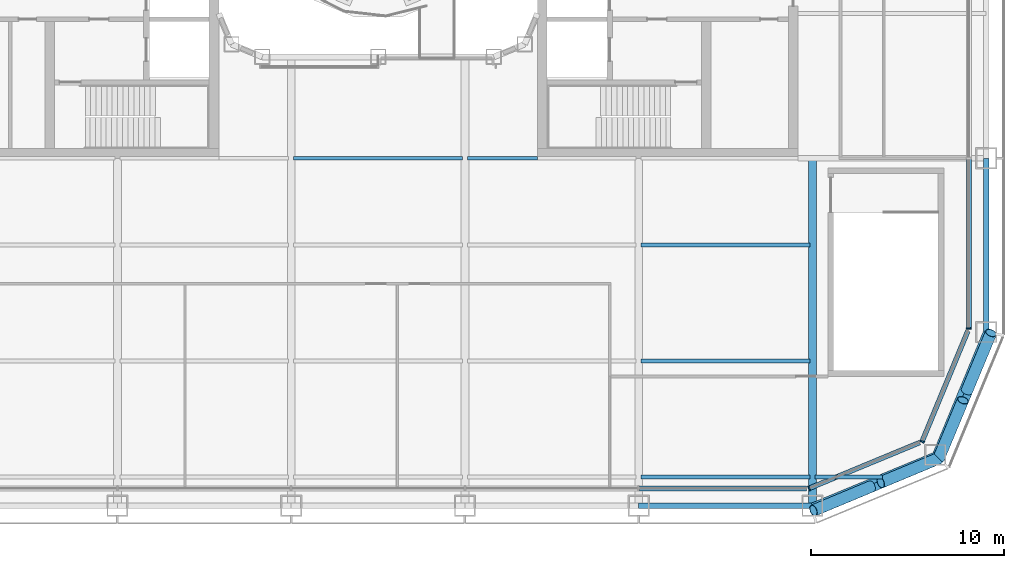
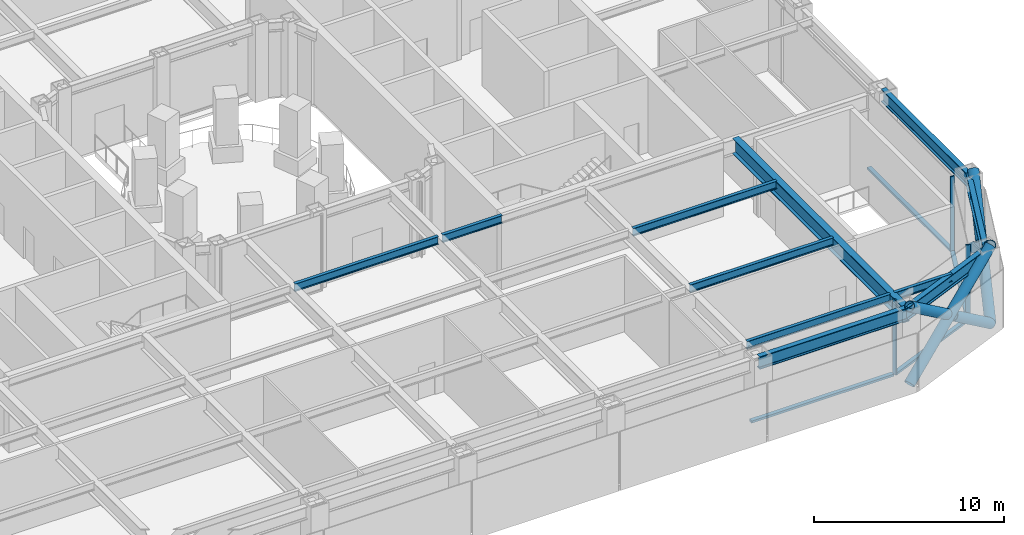
# One storey, part 4 of 25: 13 members, 11 beams, 4 elements without a shape of their own.
"""IFC4 building model written with IfcOpenShell, lengths in metres."""

from ifc_helpers import new_model, si_unit, direction, frame, origin, origin_2d, place, context, subcontext, project, spatial, rectangle, hollow_circle, i_section, extrude, material, layer, layer_set, material_profile, profile_set, type_object, element, aggregate, save


model = new_model("IFC4")

# Units and contexts
model_context = context("Model", 3, precision=1e-05, world=origin(), true_north=direction((0.0, 1.0)))
body_context = subcontext(model_context, "Body", "Model", "MODEL_VIEW")
ifc_project = project(units=[si_unit("LENGTHUNIT", "METRE"), si_unit("AREAUNIT", "SQUARE_METRE"), si_unit("VOLUMEUNIT", "CUBIC_METRE"), si_unit("PLANEANGLEUNIT", "RADIAN"), si_unit("MASSUNIT", "GRAM", prefix="KILO")], contexts=[model_context])

# Site, building, storey
site_placement = place(None, origin())
site = spatial("IfcSite", under=ifc_project, at=site_placement, CompositionType="ELEMENT")
building_placement = place(site_placement, origin())
building = spatial("IfcBuilding", under=site, at=building_placement, Name="Siwar Civic Tower", CompositionType="ELEMENT")
storey_placement = place(building_placement, frame((0.0, 0.0, 17.199951171875)))
storey = spatial("IfcBuildingStorey", under=building, at=storey_placement, Name="L03", CompositionType="ELEMENT", Elevation=17.199951171875)

# Curtain wall, member
ifc_material_1 = material(Name="Aluminium clad insulated panel", Category="aluminium")
ifc_layer_1 = layer(ifc_material_1, 0.25)
ifc_layer_set_1 = layer_set([ifc_layer_1], Name="Aluminium clad insulated panel")
curtain_wall_type_1 = type_object("IfcCurtainWallType", Name="ENV-CW-HX", PredefinedType="NOTDEFINED", material=ifc_layer_set_1)
curtain_wall_1_placement = place(storey_placement, origin())
curtain_wall_1 = element("IfcCurtainWall", 1, at=curtain_wall_1_placement, inside=storey, type_object=curtain_wall_type_1, Name="Curtain wall H SE1", PredefinedType="NOTDEFINED")
ifc_material_2 = material(Name="Aluminium 6063-T6", Category="aluminium")
ifc_material_profile_1 = material_profile(ifc_material_2, rectangle(XDim=0.25, YDim=0.080078125, at=origin_2d()), Name="AL 250x80")
ifc_profile_set_1 = profile_set([ifc_material_profile_1], Name="Aluminium 6063-T6")
member_type_1 = type_object("IfcMemberType", Name="ENV-MULLION-H", PredefinedType="MULLION", material=ifc_profile_set_1)
member_1_placement = place(storey_placement, frame((22.321044921875, -30.60009765625, 0.0), z_axis=(0.0, 0.0, 1.0), x_axis=(-0.382683432365, 0.923879532511, 0.0)))
member_1 = element("IfcMember", 2, at=member_1_placement, type_object=member_type_1, Name="Mullion H SE1 1", PredefinedType="MULLION", context=body_context, shape_type="SweptSolid", body=[
    extrude(rectangle(XDim=0.25, YDim=0.080078125, at=origin_2d()), origin(), (0.0, 0.0, 1.0), 4.85009765625),
])

curtain_wall_2_placement = place(storey_placement, origin())
curtain_wall_2 = element("IfcCurtainWall", 3, at=curtain_wall_2_placement, inside=storey, type_object=curtain_wall_type_1, Name="Curtain wall H SE2", PredefinedType="NOTDEFINED")
member_2_placement = place(storey_placement, frame((28.175048828125, -28.175048828125, 0.0), z_axis=(0.0, 0.0, 1.0), x_axis=(-0.923879532511, 0.382683432365, 0.0)))
member_2 = element("IfcMember", 4, at=member_2_placement, type_object=member_type_1, Name="Mullion H SE2 1", PredefinedType="MULLION", context=body_context, shape_type="SweptSolid", body=[
    extrude(rectangle(XDim=0.25, YDim=0.080078125, at=origin_2d()), origin(), (0.0, 0.0, 1.0), 4.85009765625),
])

ifc_material_3 = material(Name="Aluminium and glass", Category="aluminium")
ifc_layer_2 = layer(ifc_material_3, 0.25)
ifc_layer_set_2 = layer_set([ifc_layer_2], Name="Aluminium and glass")
curtain_wall_type_2 = type_object("IfcCurtainWallType", Name="ENV-CW-H", PredefinedType="NOTDEFINED", material=ifc_layer_set_2)
curtain_wall_3_placement = place(storey_placement, origin())
curtain_wall_3 = element("IfcCurtainWall", 5, at=curtain_wall_3_placement, inside=storey, type_object=curtain_wall_type_2, Name="Curtain wall H E", PredefinedType="NOTDEFINED")
member_3_placement = place(storey_placement, frame((30.60009765625, -22.321044921875, 0.0), z_axis=(0.0, 0.0, 1.0), x_axis=(-1.0, 0.0, 0.0)))
member_3 = element("IfcMember", 6, at=member_3_placement, type_object=member_type_1, Name="Mullion H E 1", PredefinedType="MULLION", context=body_context, shape_type="SweptSolid", body=[
    extrude(rectangle(XDim=0.25, YDim=0.080078125, at=origin_2d()), origin(), (0.0, 0.0, 1.0), 4.85009765625),
])

curtain_wall_4_placement = place(storey_placement, origin())
curtain_wall_4 = element("IfcCurtainWall", 7, at=curtain_wall_4_placement, inside=storey, type_object=curtain_wall_type_2, Name="Curtain wall H S", PredefinedType="NOTDEFINED")
ifc_material_4 = material(Name="Aluminium 6063-T6", Category="aluminium")
ifc_material_profile_2 = material_profile(ifc_material_4, rectangle(XDim=0.25, YDim=0.139892578125, at=origin_2d()), Name="AL 250x140")
ifc_profile_set_2 = profile_set([ifc_material_profile_2], Name="Aluminium 6063-T6")
member_type_2 = type_object("IfcMemberType", Name="ENV-TRANSOM-H", PredefinedType="USERDEFINED", material=ifc_profile_set_2)
member_4_placement = place(storey_placement, frame((13.5400390625, -30.60009765625, 0.070068359375), z_axis=(1.0, 0.0, 0.0), x_axis=(0.0, 1.0, 0.0)))
member_4 = element("IfcMember", 8, at=member_4_placement, type_object=member_type_2, Name="Transom H S 5", ObjectType="TRANSOM", PredefinedType="USERDEFINED", context=body_context, shape_type="SweptSolid", body=[
    extrude(rectangle(XDim=0.25, YDim=0.139892578125, at=origin_2d()), origin(), (0.0, 0.0, 1.0), 8.644287109375),
])
aggregate(curtain_wall_4, [member_4])

# Member
member_5_placement = place(storey_placement, frame((22.35791015625, -30.584716796875, 0.070068359375), z_axis=(0.92388399052, 0.382672669604, 0.0), x_axis=(-0.382672669604, 0.92388399052, 0.0)))
member_5 = element("IfcMember", 9, at=member_5_placement, type_object=member_type_2, Name="Transom H SE1 1", ObjectType="TRANSOM", PredefinedType="USERDEFINED", context=body_context, shape_type="SweptSolid", body=[
    extrude(rectangle(XDim=0.25, YDim=0.139892578125, at=origin_2d()), origin(), (0.0, 0.0, 1.0), 6.15966796875),
])

aggregate(curtain_wall_1, [member_1, member_5])

member_6_placement = place(storey_placement, frame((28.1904296875, -28.13818359375, 0.070068359375), z_axis=(0.382672669604, 0.92388399052, 0.0), x_axis=(-0.92388399052, 0.382672669604, 0.0)))
member_6 = element("IfcMember", 10, at=member_6_placement, type_object=member_type_2, Name="Transom H SE2 1", ObjectType="TRANSOM", PredefinedType="USERDEFINED", context=body_context, shape_type="SweptSolid", body=[
    extrude(rectangle(XDim=0.25, YDim=0.139892578125, at=origin_2d()), origin(), (0.0, 0.0, 1.0), 6.15966796875),
])

aggregate(curtain_wall_2, [member_2, member_6])

member_7_placement = place(storey_placement, frame((30.60009765625, -22.281005859375, 0.070068359375), z_axis=(0.0, 1.0, 0.0), x_axis=(-1.0, 0.0, 0.0)))
member_7 = element("IfcMember", 11, at=member_7_placement, type_object=member_type_2, Name="Transom H E 1", ObjectType="TRANSOM", PredefinedType="USERDEFINED", context=body_context, shape_type="SweptSolid", body=[
    extrude(rectangle(XDim=0.25, YDim=0.139892578125, at=origin_2d()), origin(), (0.0, 0.0, 1.0), 8.740966796875),
])

aggregate(curtain_wall_3, [member_3, member_7])

# Members
ifc_material_5 = material(Name="Steel S355", Category="steel")
ifc_material_profile_3 = material_profile(ifc_material_5, hollow_circle(Radius=0.304931640625, WallThickness=0.030029296875, at=origin_2d()), Name="CHS610x30")
ifc_profile_set_3 = profile_set([ifc_material_profile_3], Name="Steel S355")
member_type_3 = type_object("IfcMemberType", Name="STR-BR-CHS610x30", PredefinedType="BRACE", material=ifc_profile_set_3)
member_8_placement = place(storey_placement, frame((31.7451171875, -22.548828125, 0.0), z_axis=(-0.313403721941, -0.752344350468, 0.579444635312), x_axis=(0.923108759191, -0.384538969033, 0.0)))
element("IfcMember", 12, at=member_8_placement, inside=storey, type_object=member_type_3, Name="L03/brc/ASE1-2-0-1", PredefinedType="BRACE", context=body_context, shape_type="SweptSolid", body=[
    extrude(hollow_circle(Radius=0.304931640625, WallThickness=0.030029296875, at=origin_2d()), origin(), (0.0, 0.0, 1.0), 8.62890625),
])
for number, where, z_axis, x_axis, name in (
    (13, (29.040771484375, -29.040771484375, 0.0), (0.313373422739, 0.752340560323, 0.5794659431), (-0.923121267833, 0.384508939914, 0.0), "L03/brc/ASE1-2-0-2"),
    (14, (30.49267578125, -25.5556640625, 2.684326171875), (0.313384515382, 0.752367191316, 0.57942536616), (-0.923121267833, 0.384508939914, 0.0), "L03/brc/ASE1-2-0-3"),
):
    element("IfcMember", number, at=place(storey_placement, frame(where, z_axis=z_axis, x_axis=x_axis)), inside=storey, type_object=member_type_3, Name=name, PredefinedType="BRACE", context=body_context, shape_type="SweptSolid", body=[
        extrude(hollow_circle(Radius=0.304931640625, WallThickness=0.030029296875, at=origin_2d()), origin(), (0.0, 0.0, 1.0), 3.99658203125),
    ])
member_9_placement = place(storey_placement, frame((22.548828125, -31.7451171875, 0.0), z_axis=(0.752344350468, 0.313403721941, 0.579444635312), x_axis=(-0.384538969033, 0.923108759191, 0.0)))
element("IfcMember", 15, at=member_9_placement, inside=storey, type_object=member_type_3, Name="L03/brc/ASE1-2-0-0", PredefinedType="BRACE", context=body_context, shape_type="SweptSolid", body=[
    extrude(hollow_circle(Radius=0.304931640625, WallThickness=0.030029296875, at=origin_2d()), origin(), (0.0, 0.0, 1.0), 8.62890625),
])
for number, where, z_axis, x_axis, name in (
    (16, (29.040771484375, -29.040771484375, 0.0), (-0.752340560323, -0.313373422739, 0.5794659431), (0.384508939914, -0.923121267833, 0.0), "L03/brc/ASE1-2-0-4"),
    (17, (25.5556640625, -30.49267578125, 2.684326171875), (-0.752367191316, -0.313384515382, 0.57942536616), (0.384508939914, -0.923121267833, 0.0), "L03/brc/ASE1-2-0-5"),
):
    element("IfcMember", number, at=place(storey_placement, frame(where, z_axis=z_axis, x_axis=x_axis)), inside=storey, type_object=member_type_3, Name=name, PredefinedType="BRACE", context=body_context, shape_type="SweptSolid", body=[
        extrude(hollow_circle(Radius=0.304931640625, WallThickness=0.030029296875, at=origin_2d()), origin(), (0.0, 0.0, 1.0), 3.99658203125),
    ])

# Beams
ifc_material_6 = material(Name="Steel S355", Category="steel")
ifc_material_profile_4 = material_profile(ifc_material_6, i_section(OverallWidth=0.199951171875, OverallDepth=0.5, WebThickness=0.01025390625, FlangeThickness=0.01611328125, FilletRadius=0.02099609375, at=origin_2d()), Name="IPE500")
ifc_profile_set_4 = profile_set([ifc_material_profile_4], Name="Steel S355")
beam_type_1 = type_object("IfcBeamType", Name="STR-FB-IPE500", PredefinedType="JOIST", material=ifc_profile_set_4)
beam_1_placement = place(storey_placement, frame((13.6298828125, -30.0, 4.60009765625), z_axis=(1.0, 0.0, 0.0), x_axis=(0.0, 1.0, 0.0)))
element("IfcBeam", 18, at=beam_1_placement, inside=storey, type_object=beam_type_1, Name="L03/bm/F006", PredefinedType="JOIST", context=body_context, shape_type="SweptSolid", body=[
    extrude(i_section(OverallWidth=0.199951171875, OverallDepth=0.5, WebThickness=0.01025390625, FlangeThickness=0.01611328125, FilletRadius=0.02099609375, at=origin_2d()), origin(), (0.0, 0.0, 1.0), 8.740234375),
])
beam_2_placement = place(storey_placement, frame((22.6298828125, -30.0, 4.60009765625), z_axis=(1.0, 0.0, 0.0), x_axis=(0.0, 1.0, 0.0)))
element("IfcBeam", 19, at=beam_2_placement, inside=storey, type_object=beam_type_1, Name="L03/bm/F007", PredefinedType="JOIST", context=body_context, shape_type="SweptSolid", body=[
    extrude(i_section(OverallWidth=0.199951171875, OverallDepth=0.5, WebThickness=0.01025390625, FlangeThickness=0.01611328125, FilletRadius=0.02099609375, at=origin_2d()), origin(), (0.0, 0.0, 1.0), 3.491455078125),
])
for number, where, z_axis, x_axis, name in (
    (20, (13.6298828125, -24.0, 4.60009765625), (1.0, 0.0, 0.0), (0.0, 1.0, 0.0), "L03/bm/F013"),
    (21, (13.6298828125, -18.0, 4.60009765625), (1.0, 0.0, 0.0), (0.0, 1.0, 0.0), "L03/bm/F019"),
    (22, (-4.3701171875, -13.5, 4.60009765625), (1.0, 0.0, 0.0), (0.0, 1.0, 0.0), "L03/bm/F024"),
):
    element("IfcBeam", number, at=place(storey_placement, frame(where, z_axis=z_axis, x_axis=x_axis)), inside=storey, type_object=beam_type_1, Name=name, PredefinedType="JOIST", context=body_context, shape_type="SweptSolid", body=[
        extrude(i_section(OverallWidth=0.199951171875, OverallDepth=0.5, WebThickness=0.01025390625, FlangeThickness=0.01611328125, FilletRadius=0.02099609375, at=origin_2d()), origin(), (0.0, 0.0, 1.0), 8.740234375),
    ])
beam_3_placement = place(storey_placement, frame((4.6298828125, -13.5, 4.60009765625), z_axis=(1.0, 0.0, 0.0), x_axis=(0.0, 1.0, 0.0)))
element("IfcBeam", 23, at=beam_3_placement, inside=storey, type_object=beam_type_1, Name="L03/bm/F025", PredefinedType="JOIST", context=body_context, shape_type="SweptSolid", body=[
    extrude(i_section(OverallWidth=0.199951171875, OverallDepth=0.5, WebThickness=0.01025390625, FlangeThickness=0.01611328125, FilletRadius=0.02099609375, at=origin_2d()), origin(), (0.0, 0.0, 1.0), 3.6201171875),
])
ifc_material_7 = material(Name="Steel S355", Category="steel")
ifc_material_profile_5 = material_profile(ifc_material_7, i_section(OverallWidth=0.39990234375, OverallDepth=1.0, WebThickness=0.01611328125, FlangeThickness=0.0400390625, at=origin_2d()), Name="PG1000x400x16x40")
ifc_profile_set_5 = profile_set([ifc_material_profile_5], Name="Steel S355")
beam_type_2 = type_object("IfcBeamType", Name="STR-PG-PG1000x400x16x40", PredefinedType="BEAM", material=ifc_profile_set_5)
beam_4_placement = place(storey_placement, frame((22.5, -31.5, 4.35009765625), z_axis=(0.0, 1.0, 0.0), x_axis=(-1.0, 0.0, 0.0)))
element("IfcBeam", 24, at=beam_4_placement, inside=storey, type_object=beam_type_2, Name="L03/bm/G11", PredefinedType="BEAM", context=body_context, shape_type="SweptSolid", body=[
    extrude(i_section(OverallWidth=0.39990234375, OverallDepth=1.0, WebThickness=0.01611328125, FlangeThickness=0.0400390625, at=origin_2d()), origin(), (0.0, 0.0, 1.0), 18.0),
])
ifc_material_8 = material(Name="Steel S355", Category="steel")
ifc_material_profile_6 = material_profile(ifc_material_8, i_section(OverallWidth=0.302978515625, OverallDepth=0.81396484375, WebThickness=0.02099609375, FlangeThickness=0.0400390625, FilletRadius=0.030029296875, at=origin_2d()), Name="HEM800")
ifc_profile_set_6 = profile_set([ifc_material_profile_6], Name="Steel S355")
beam_type_3 = type_object("IfcBeamType", Name="STR-SB-HEM800", PredefinedType="BEAM", material=ifc_profile_set_6)
beam_5_placement = place(storey_placement, frame((13.5, -31.5, 4.443115234375), z_axis=(1.0, 0.0, 0.0), x_axis=(0.0, 1.0, 0.0)))
element("IfcBeam", 25, at=beam_5_placement, inside=storey, type_object=beam_type_3, Name="L03/bm/SS-4", PredefinedType="BEAM", context=body_context, shape_type="SweptSolid", body=[
    extrude(i_section(OverallWidth=0.302978515625, OverallDepth=0.81396484375, WebThickness=0.02099609375, FlangeThickness=0.0400390625, FilletRadius=0.030029296875, at=origin_2d()), origin(), (0.0, 0.0, 1.0), 9.0),
])
for number, where, z_axis, x_axis, name in (
    (26, (22.5, -31.5, 4.443115234375), (0.923883353507, 0.382674207535, 0.0), (-0.382674207535, 0.923883353507, 0.0), "L03/bm/SSE1-0"),
    (27, (28.864013671875, -28.864013671875, 4.443115234375), (0.382674207535, 0.923883353507, 0.0), (-0.923883353507, 0.382674207535, 0.0), "L03/bm/SSE2-0"),
):
    element("IfcBeam", number, at=place(storey_placement, frame(where, z_axis=z_axis, x_axis=x_axis)), inside=storey, type_object=beam_type_3, Name=name, PredefinedType="BEAM", context=body_context, shape_type="SweptSolid", body=[
        extrude(i_section(OverallWidth=0.302978515625, OverallDepth=0.81396484375, WebThickness=0.02099609375, FlangeThickness=0.0400390625, FilletRadius=0.030029296875, at=origin_2d()), origin(), (0.0, 0.0, 1.0), 6.888427734375),
    ])
beam_6_placement = place(storey_placement, frame((31.5, -22.5, 4.443115234375), z_axis=(0.0, 1.0, 0.0), x_axis=(-1.0, 0.0, 0.0)))
element("IfcBeam", 28, at=beam_6_placement, inside=storey, type_object=beam_type_3, Name="L03/bm/SE-0", PredefinedType="BEAM", context=body_context, shape_type="SweptSolid", body=[
    extrude(i_section(OverallWidth=0.302978515625, OverallDepth=0.81396484375, WebThickness=0.02099609375, FlangeThickness=0.0400390625, FilletRadius=0.030029296875, at=origin_2d()), origin(), (0.0, 0.0, 1.0), 9.0),
])

save(model, "model.ifc")
